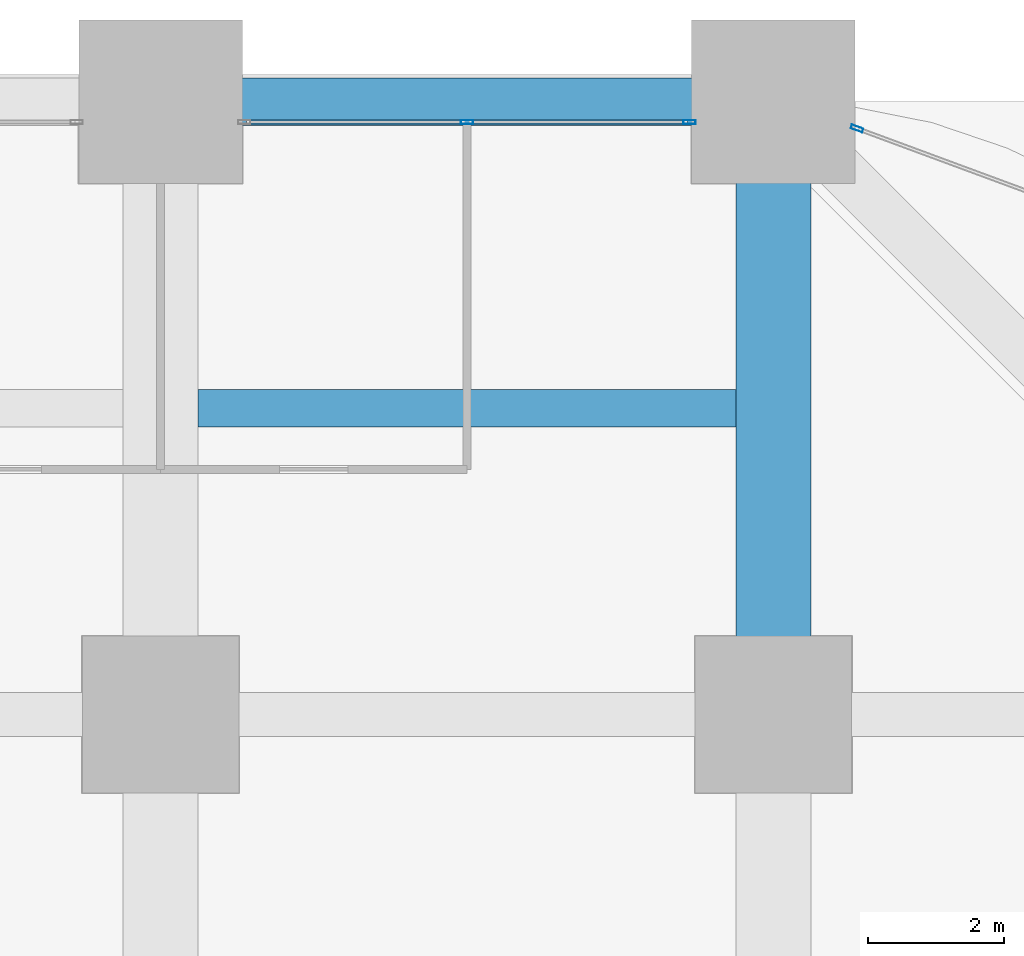
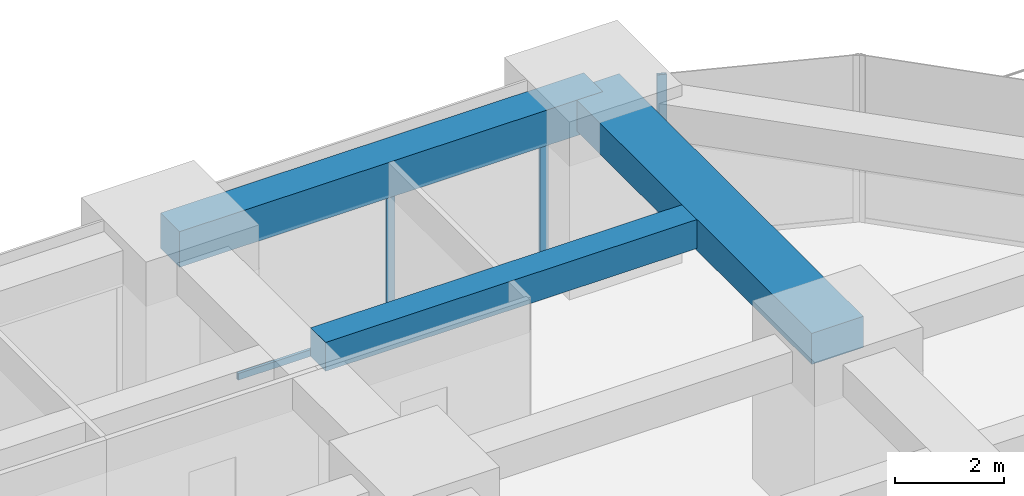
# One storey, part 23 of 38: 4 members, 3 beams, 2 elements without a shape of their own.
"""IFC4 building model written with IfcOpenShell, lengths in metres."""

from ifc_helpers import new_model, si_unit, direction, frame, origin, origin_2d, place, context, subcontext, project, spatial, rectangle, hollow_rectangle, extrude, material, material_profile, profile_set, type_object, element, aggregate, save


model = new_model("IFC4")

# Units and contexts
model_context = context("Model", 3, precision=1e-05, world=origin(), true_north=direction((0.0, 1.0)))
body_context = subcontext(model_context, "Body", "Model", "MODEL_VIEW")
ifc_project = project(units=[si_unit("LENGTHUNIT", "METRE"), si_unit("AREAUNIT", "SQUARE_METRE"), si_unit("VOLUMEUNIT", "CUBIC_METRE"), si_unit("PLANEANGLEUNIT", "RADIAN"), si_unit("MASSUNIT", "GRAM", prefix="KILO")], contexts=[model_context])

# Site, building, storey
site_placement = place(None, origin())
site = spatial("IfcSite", under=ifc_project, at=site_placement, CompositionType="ELEMENT")
building_placement = place(site_placement, origin())
building = spatial("IfcBuilding", under=site, at=building_placement, Name="Zorevar Civic Tower", CompositionType="ELEMENT")
storey_placement = place(building_placement, frame((0.0, 0.0, 15.800048828125)))
storey = spatial("IfcBuildingStorey", under=building, at=storey_placement, Name="L03", CompositionType="ELEMENT", Elevation=15.800048828125)

# Beams
ifc_material_1 = material(Name="Concrete C50/60", Category="concrete")
ifc_material_profile_1 = material_profile(ifc_material_1, rectangle(XDim=1.10009765625, YDim=0.699951171875, at=origin_2d()), Name="RC 1100x700")
ifc_profile_set_1 = profile_set([ifc_material_profile_1], Name="Concrete C50/60")
beam_type_1 = type_object("IfcBeamType", Name="Beam RC 1100x700", PredefinedType="BEAM", material=ifc_profile_set_1)
beam_1_placement = place(storey_placement, frame((54.0, 45.0, 3.39990234375), z_axis=(0.0, 1.0, 0.0), x_axis=(-1.0, 0.0, 0.0)))
element("IfcBeam", 1, at=beam_1_placement, inside=storey, type_object=beam_type_1, Name="Girder L04", PredefinedType="BEAM", context=body_context, shape_type="SweptSolid", body=[
    extrude(rectangle(XDim=1.10009765625, YDim=0.699951171875, at=origin_2d()), origin(), (0.0, 0.0, 1.0), 9.0),
])
ifc_material_2 = material(Name="Concrete C50/60", Category="concrete")
ifc_material_profile_2 = material_profile(ifc_material_2, rectangle(XDim=0.550048828125, YDim=0.64990234375, at=origin_2d()), Name="RC 550x650")
ifc_profile_set_2 = profile_set([ifc_material_profile_2], Name="Concrete C50/60")
beam_type_2 = type_object("IfcBeamType", Name="Beam RC 550x650", PredefinedType="BEAM", material=ifc_profile_set_2)
beam_2_placement = place(storey_placement, frame((45.550048828125, 49.5, 3.425048828125), z_axis=(1.0, 0.0, 0.0), x_axis=(0.0, 1.0, 0.0)))
element("IfcBeam", 2, at=beam_2_placement, inside=storey, type_object=beam_type_2, Name="Secondary beam L04", PredefinedType="BEAM", context=body_context, shape_type="SweptSolid", body=[
    extrude(rectangle(XDim=0.550048828125, YDim=0.64990234375, at=origin_2d()), origin(), (0.0, 0.0, 1.0), 7.89990234375),
])

# Curtain wall, members
ifc_material_3 = material(Name="Dark grey solar-control glass in black aluminium frame", Category="aluminium")
curtain_wall_type = type_object("IfcCurtainWallType", Name="Curtain wall CW2 low zone", PredefinedType="NOTDEFINED", material=ifc_material_3)
curtain_wall_1_placement = place(storey_placement, origin())
curtain_wall_1 = element("IfcCurtainWall", 3, at=curtain_wall_1_placement, inside=storey, type_object=curtain_wall_type, Name="CW2 L03", PredefinedType="NOTDEFINED")
ifc_material_4 = material(Name="Aluminium, black anodised", Category="aluminium")
ifc_material_profile_3 = material_profile(ifc_material_4, hollow_rectangle(XDim=0.06005859375, YDim=0.179931640625, WallThickness=0.00390625, at=origin_2d()), Name="AL 180x60x4")
ifc_profile_set_3 = profile_set([ifc_material_profile_3], Name="Aluminium, black anodised")
member_type_1 = type_object("IfcMemberType", Name="CW2 mullion AL 180x60x4", PredefinedType="MULLION", material=ifc_profile_set_3)
member_1_placement = place(storey_placement, frame((49.5, 53.699951171875, 0.06005859375), z_axis=(0.0, 0.0, 1.0), x_axis=(0.0, 1.0, 0.0)))
member_1 = element("IfcMember", 4, at=member_1_placement, type_object=member_type_1, Name="CW2 mullion 2", PredefinedType="MULLION", context=body_context, shape_type="SweptSolid", body=[
    extrude(hollow_rectangle(XDim=0.06005859375, YDim=0.179931640625, WallThickness=0.00390625, at=origin_2d()), origin(), (0.0, 0.0, 1.0), 2.889892578125),
])
member_2_placement = place(storey_placement, frame((52.77001953125, 53.699951171875, 0.0), z_axis=(0.0, 0.0, 1.0), x_axis=(0.0, 1.0, 0.0)))
member_2 = element("IfcMember", 5, at=member_2_placement, type_object=member_type_1, Name="CW2 mullion 3", PredefinedType="MULLION", context=body_context, shape_type="SweptSolid", body=[
    extrude(hollow_rectangle(XDim=0.06005859375, YDim=0.179931640625, WallThickness=0.00390625, at=origin_2d()), origin(), (0.0, 0.0, 1.0), 2.949951171875),
])

# Curtain wall, member
curtain_wall_2_placement = place(storey_placement, origin())
curtain_wall_2 = element("IfcCurtainWall", 6, at=curtain_wall_2_placement, inside=storey, type_object=curtain_wall_type, Name="CW2 L03", PredefinedType="NOTDEFINED")
member_3_placement = place(storey_placement, frame((55.22802734375, 53.6064453125, 0.0), z_axis=(0.0, 0.0, 1.0), x_axis=(-0.346704012033, -0.937974588163, 0.0)))
member_3 = element("IfcMember", 7, at=member_3_placement, type_object=member_type_1, Name="CW2 mullion 2", PredefinedType="MULLION", context=body_context, shape_type="SweptSolid", body=[
    extrude(hollow_rectangle(XDim=0.06005859375, YDim=0.179931640625, WallThickness=0.00390625, at=origin_2d()), origin(), (0.0, 0.0, 1.0), 3.75),
])
aggregate(curtain_wall_2, [member_3])

# Member
ifc_material_5 = material(Name="Aluminium, black anodised", Category="aluminium")
ifc_material_profile_4 = material_profile(ifc_material_5, hollow_rectangle(XDim=0.06005859375, YDim=0.14990234375, WallThickness=0.00390625, at=origin_2d()), Name="AL 150x60x4")
ifc_profile_set_4 = profile_set([ifc_material_profile_4], Name="Aluminium, black anodised")
member_type_2 = type_object("IfcMemberType", Name="CW2 transom AL 150x60x4", PredefinedType="USERDEFINED", material=ifc_profile_set_4)
member_4_placement = place(storey_placement, frame((46.260009765625, 53.699951171875, 0.030029296875), z_axis=(1.0, 0.0, 0.0), x_axis=(0.0, 1.0, 0.0)))
member_4 = element("IfcMember", 8, at=member_4_placement, type_object=member_type_2, Name="CW2 sill transom", ObjectType="TRANSOM", PredefinedType="USERDEFINED", context=body_context, shape_type="SweptSolid", body=[
    extrude(hollow_rectangle(XDim=0.06005859375, YDim=0.14990234375, WallThickness=0.00390625, at=origin_2d()), origin(), (0.0, 0.0, 1.0), 6.47998046875),
])

aggregate(curtain_wall_1, [member_1, member_2, member_4])

# Beam
ifc_material_6 = material(Name="Concrete C50/60", Category="concrete")
ifc_material_profile_5 = material_profile(ifc_material_6, rectangle(XDim=0.699951171875, YDim=0.800048828125, at=origin_2d()), Name="RC 700x800")
ifc_profile_set_5 = profile_set([ifc_material_profile_5], Name="Concrete C50/60")
beam_type_3 = type_object("IfcBeamType", Name="Edge beam RC 700x800", PredefinedType="SPANDREL", material=ifc_profile_set_5)
beam_3_placement = place(storey_placement, frame((45.0, 54.0, 3.349853515625), z_axis=(1.0, 0.0, 0.0), x_axis=(0.0, 1.0, 0.0)))
element("IfcBeam", 9, at=beam_3_placement, inside=storey, type_object=beam_type_3, Name="Edge beam L04", PredefinedType="SPANDREL", context=body_context, shape_type="SweptSolid", body=[
    extrude(rectangle(XDim=0.699951171875, YDim=0.800048828125, at=origin_2d()), origin(), (0.0, 0.0, 1.0), 9.0),
])

save(model, "model.ifc")
